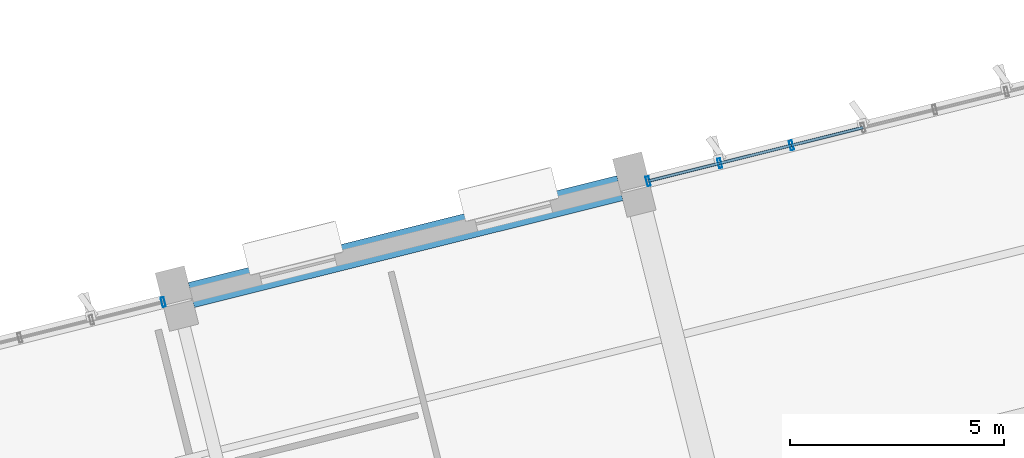
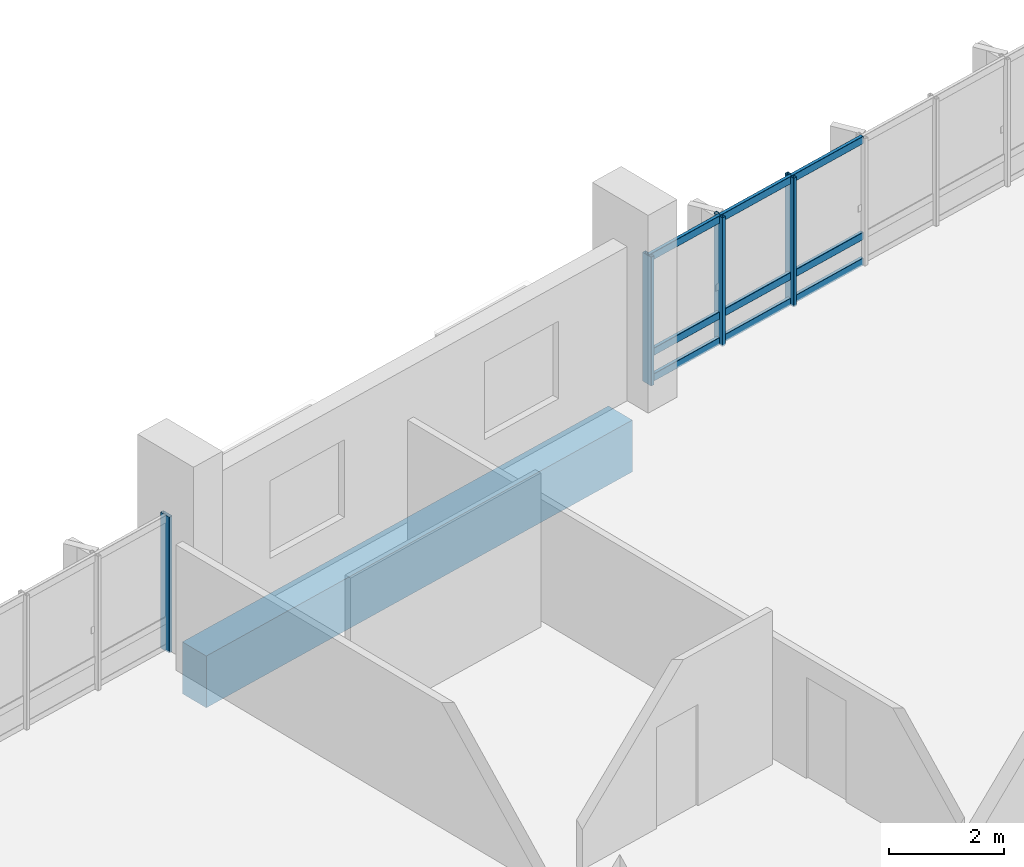
# One storey, part 48 of 75: 13 members, 1 beam, 2 elements without a shape of their own.
"""IFC4 building model written with IfcOpenShell, lengths in metres."""

from ifc_helpers import new_model, si_unit, direction, frame, origin, origin_2d, place, context, subcontext, project, spatial, rectangle, hollow_rectangle, extrude, material, layer, layer_set, material_profile, profile_set, type_object, element, aggregate, save


model = new_model("IFC4")

# Units and contexts
model_context = context("Model", 3, precision=1e-05, world=origin(), true_north=direction((0.0, 1.0)))
body_context = subcontext(model_context, "Body", "Model", "MODEL_VIEW")
ifc_project = project(units=[si_unit("LENGTHUNIT", "METRE"), si_unit("AREAUNIT", "SQUARE_METRE"), si_unit("VOLUMEUNIT", "CUBIC_METRE"), si_unit("PLANEANGLEUNIT", "RADIAN"), si_unit("MASSUNIT", "GRAM", prefix="KILO")], contexts=[model_context])

# Site, building, storey
site_placement = place(None, origin())
site = spatial("IfcSite", under=ifc_project, at=site_placement, CompositionType="ELEMENT")
building_placement = place(site_placement, origin())
building = spatial("IfcBuilding", under=site, at=building_placement, Name="Khorjan Park Terminus", CompositionType="ELEMENT")
storey_placement = place(building_placement, frame((0.0, 0.0, 16.2)))
storey = spatial("IfcBuildingStorey", under=building, at=storey_placement, Name="L03", CompositionType="ELEMENT", Elevation=16.2)

# Beam
ifc_material_1 = material(Name="Concrete C40/50", Category="concrete")
ifc_material_profile_1 = material_profile(ifc_material_1, rectangle(XDim=0.6, YDim=1.1, at=origin_2d()), Name="RC 600x1100")
ifc_profile_set_1 = profile_set([ifc_material_profile_1], Name="Concrete C40/50")
beam_type = type_object("IfcBeamType", Name="BM-RC600x1100", PredefinedType="BEAM", material=ifc_profile_set_1)
beam_placement = place(storey_placement, frame((193.0609, 76.7675, -0.9), z_axis=(0.970294075028, 0.241928518297, 0.0), x_axis=(-0.241928518297, 0.970294075028, 0.0)))
element("IfcBeam", 1, at=beam_placement, inside=storey, type_object=beam_type, Name="Primary skew-grid floor girder GB-11 (L03)", PredefinedType="BEAM", context=body_context, shape_type="SweptSolid", body=[
    extrude(rectangle(XDim=0.6, YDim=1.1, at=origin_2d()), origin(), (0.0, 0.0, 1.0), 10.3101),
])

# Curtain wall, members
ifc_material_2 = material(Name="Anodized Bronze Aluminium", Category="aluminium")
ifc_layer = layer(ifc_material_2, 0.22)
ifc_layer_set = layer_set([ifc_layer], Name="Anodized Bronze Aluminium")
curtain_wall_type = type_object("IfcCurtainWallType", Name="CW-OPS-B", PredefinedType="NOTDEFINED", material=ifc_layer_set)
curtain_wall_1_placement = place(storey_placement, origin())
curtain_wall_1 = element("IfcCurtainWall", 2, at=curtain_wall_1_placement, inside=storey, type_object=curtain_wall_type, Name="Unitized curtain wall CW-B (CW-V5-N-L03-B01)", PredefinedType="NOTDEFINED")
ifc_material_profile_2 = material_profile(ifc_material_2, hollow_rectangle(XDim=0.075, YDim=0.225, WallThickness=0.005, InnerFilletRadius=0.005, OuterFilletRadius=0.01, at=origin_2d()), Name="ALM 75x225x5")
ifc_profile_set_2 = profile_set([ifc_material_profile_2], Name="Anodized Bronze Aluminium")
member_type_1 = type_object("IfcMemberType", Name="ML-ALM-225", PredefinedType="MULLION", material=ifc_profile_set_2)
member_1_placement = place(storey_placement, frame((207.0637, 80.2588, -0.035), z_axis=(0.0, 0.0, 1.0), x_axis=(-0.970294194364, -0.241928039679, 0.0)))
member_1 = element("IfcMember", 3, at=member_1_placement, type_object=member_type_1, Name="Curtain-wall mullion ML-22 (CW-V5-N-L03-B01-4)", PredefinedType="MULLION", context=body_context, shape_type="SweptSolid", body=[
    extrude(hollow_rectangle(XDim=0.075, YDim=0.225, WallThickness=0.005, InnerFilletRadius=0.005, OuterFilletRadius=0.01, at=origin_2d()), origin(), (0.0, 0.0, 1.0), 2.735),
])
member_2_placement = place(storey_placement, frame((205.3914, 79.8418, -0.035), z_axis=(0.0, 0.0, 1.0), x_axis=(-0.970294194364, -0.241928039679, 0.0)))
member_2 = element("IfcMember", 4, at=member_2_placement, type_object=member_type_1, Name="Curtain-wall mullion ML-22 (CW-V5-N-L03-B01-5)", PredefinedType="MULLION", context=body_context, shape_type="SweptSolid", body=[
    extrude(hollow_rectangle(XDim=0.075, YDim=0.225, WallThickness=0.005, InnerFilletRadius=0.005, OuterFilletRadius=0.01, at=origin_2d()), origin(), (0.0, 0.0, 1.0), 2.735),
])
member_3_placement = place(storey_placement, frame((203.7192, 79.4249, -0.035), z_axis=(0.0, 0.0, 1.0), x_axis=(-0.970294194364, -0.241928039679, 0.0)))
member_3 = element("IfcMember", 5, at=member_3_placement, type_object=member_type_1, Name="Curtain-wall mullion ML-22 (CW-V5-N-L03-B01-6)", PredefinedType="MULLION", context=body_context, shape_type="SweptSolid", body=[
    extrude(hollow_rectangle(XDim=0.075, YDim=0.225, WallThickness=0.005, InnerFilletRadius=0.005, OuterFilletRadius=0.01, at=origin_2d()), origin(), (0.0, 0.0, 1.0), 2.735),
])

# Curtain wall, member
curtain_wall_2_placement = place(storey_placement, origin())
curtain_wall_2 = element("IfcCurtainWall", 6, at=curtain_wall_2_placement, inside=storey, type_object=curtain_wall_type, Name="Unitized curtain wall CW-B (CW-V5-N-L03-B03)", PredefinedType="NOTDEFINED")
member_4_placement = place(storey_placement, frame((192.4058, 76.6042, -0.035), z_axis=(0.0, 0.0, 1.0), x_axis=(-0.970295910648, -0.241921156122, 0.0)))
member_4 = element("IfcMember", 7, at=member_4_placement, type_object=member_type_1, Name="Curtain-wall mullion ML-22 (CW-V5-N-L03-B03-0)", PredefinedType="MULLION", context=body_context, shape_type="SweptSolid", body=[
    extrude(hollow_rectangle(XDim=0.075, YDim=0.225, WallThickness=0.005, InnerFilletRadius=0.005, OuterFilletRadius=0.01, at=origin_2d()), origin(), (0.0, 0.0, 1.0), 2.885),
])
aggregate(curtain_wall_2, [member_4])

# Member
ifc_material_profile_3 = material_profile(ifc_material_2, hollow_rectangle(XDim=0.07, YDim=0.16, WallThickness=0.004, InnerFilletRadius=0.004, OuterFilletRadius=0.008, at=origin_2d()), Name="ALT 70x160x4")
ifc_profile_set_3 = profile_set([ifc_material_profile_3], Name="Anodized Bronze Aluminium")
member_type_2 = type_object("IfcMemberType", Name="TR-ALT-160", PredefinedType="USERDEFINED", material=ifc_profile_set_3)
member_5_placement = place(storey_placement, frame((208.736, 80.6757, 0.04), z_axis=(-0.970302701845, -0.241893916402, 0.0), x_axis=(0.241893916402, -0.970302701845, 0.0)))
member_5 = element("IfcMember", 8, at=member_5_placement, type_object=member_type_2, Name="Curtain-wall transom TR-16 (CW-V5-N-L03-B01-3-1)", ObjectType="TRANSOM", PredefinedType="USERDEFINED", context=body_context, shape_type="SweptSolid", body=[
    extrude(hollow_rectangle(XDim=0.07, YDim=0.16, WallThickness=0.004, InnerFilletRadius=0.004, OuterFilletRadius=0.008, at=origin_2d()), origin(), (0.0, 0.0, 1.0), 1.7235),
])

member_6_placement = place(storey_placement, frame((208.736, 80.6757, 0.586), z_axis=(-0.970302701845, -0.241893916402, 0.0), x_axis=(0.241893916402, -0.970302701845, 0.0)))
member_6 = element("IfcMember", 9, at=member_6_placement, type_object=member_type_2, Name="Curtain-wall transom TR-16 (CW-V5-N-L03-B01-3-2)", ObjectType="TRANSOM", PredefinedType="USERDEFINED", context=body_context, shape_type="SweptSolid", body=[
    extrude(hollow_rectangle(XDim=0.07, YDim=0.16, WallThickness=0.004, InnerFilletRadius=0.004, OuterFilletRadius=0.008, at=origin_2d()), origin(), (0.0, 0.0, 1.0), 1.7235),
])

member_7_placement = place(storey_placement, frame((208.736, 80.6757, 2.625), z_axis=(-0.970302701845, -0.241893916402, 0.0), x_axis=(0.241893916402, -0.970302701845, 0.0)))
member_7 = element("IfcMember", 10, at=member_7_placement, type_object=member_type_2, Name="Curtain-wall transom TR-16 (CW-V5-N-L03-B01-3-3)", ObjectType="TRANSOM", PredefinedType="USERDEFINED", context=body_context, shape_type="SweptSolid", body=[
    extrude(hollow_rectangle(XDim=0.07, YDim=0.16, WallThickness=0.004, InnerFilletRadius=0.004, OuterFilletRadius=0.008, at=origin_2d()), origin(), (0.0, 0.0, 1.0), 1.7235),
])

member_8_placement = place(storey_placement, frame((207.0637, 80.2588, 0.04), z_axis=(-0.970289082125, -0.241948542275, 0.0), x_axis=(0.241948542275, -0.970289082125, 0.0)))
member_8 = element("IfcMember", 11, at=member_8_placement, type_object=member_type_2, Name="Curtain-wall transom TR-16 (CW-V5-N-L03-B01-4-1)", ObjectType="TRANSOM", PredefinedType="USERDEFINED", context=body_context, shape_type="SweptSolid", body=[
    extrude(hollow_rectangle(XDim=0.07, YDim=0.16, WallThickness=0.004, InnerFilletRadius=0.004, OuterFilletRadius=0.008, at=origin_2d()), origin(), (0.0, 0.0, 1.0), 1.7235),
])

member_9_placement = place(storey_placement, frame((207.0637, 80.2588, 0.586), z_axis=(-0.970289082125, -0.241948542275, 0.0), x_axis=(0.241948542275, -0.970289082125, 0.0)))
member_9 = element("IfcMember", 12, at=member_9_placement, type_object=member_type_2, Name="Curtain-wall transom TR-16 (CW-V5-N-L03-B01-4-2)", ObjectType="TRANSOM", PredefinedType="USERDEFINED", context=body_context, shape_type="SweptSolid", body=[
    extrude(hollow_rectangle(XDim=0.07, YDim=0.16, WallThickness=0.004, InnerFilletRadius=0.004, OuterFilletRadius=0.008, at=origin_2d()), origin(), (0.0, 0.0, 1.0), 1.7235),
])

member_10_placement = place(storey_placement, frame((207.0637, 80.2588, 2.625), z_axis=(-0.970289082125, -0.241948542275, 0.0), x_axis=(0.241948542275, -0.970289082125, 0.0)))
member_10 = element("IfcMember", 13, at=member_10_placement, type_object=member_type_2, Name="Curtain-wall transom TR-16 (CW-V5-N-L03-B01-4-3)", ObjectType="TRANSOM", PredefinedType="USERDEFINED", context=body_context, shape_type="SweptSolid", body=[
    extrude(hollow_rectangle(XDim=0.07, YDim=0.16, WallThickness=0.004, InnerFilletRadius=0.004, OuterFilletRadius=0.008, at=origin_2d()), origin(), (0.0, 0.0, 1.0), 1.7235),
])

member_11_placement = place(storey_placement, frame((205.3914, 79.8418, 0.04), z_axis=(-0.970299306534, -0.241907535518, 0.0), x_axis=(0.241907535518, -0.970299306534, 0.0)))
member_11 = element("IfcMember", 14, at=member_11_placement, type_object=member_type_2, Name="Curtain-wall transom TR-16 (CW-V5-N-L03-B01-5-1)", ObjectType="TRANSOM", PredefinedType="USERDEFINED", context=body_context, shape_type="SweptSolid", body=[
    extrude(hollow_rectangle(XDim=0.07, YDim=0.16, WallThickness=0.004, InnerFilletRadius=0.004, OuterFilletRadius=0.008, at=origin_2d()), origin(), (0.0, 0.0, 1.0), 1.7234),
])

member_12_placement = place(storey_placement, frame((205.3914, 79.8418, 0.586), z_axis=(-0.970299306534, -0.241907535518, 0.0), x_axis=(0.241907535518, -0.970299306534, 0.0)))
member_12 = element("IfcMember", 15, at=member_12_placement, type_object=member_type_2, Name="Curtain-wall transom TR-16 (CW-V5-N-L03-B01-5-2)", ObjectType="TRANSOM", PredefinedType="USERDEFINED", context=body_context, shape_type="SweptSolid", body=[
    extrude(hollow_rectangle(XDim=0.07, YDim=0.16, WallThickness=0.004, InnerFilletRadius=0.004, OuterFilletRadius=0.008, at=origin_2d()), origin(), (0.0, 0.0, 1.0), 1.7234),
])

member_13_placement = place(storey_placement, frame((205.3914, 79.8418, 2.625), z_axis=(-0.970299306534, -0.241907535518, 0.0), x_axis=(0.241907535518, -0.970299306534, 0.0)))
member_13 = element("IfcMember", 16, at=member_13_placement, type_object=member_type_2, Name="Curtain-wall transom TR-16 (CW-V5-N-L03-B01-5-3)", ObjectType="TRANSOM", PredefinedType="USERDEFINED", context=body_context, shape_type="SweptSolid", body=[
    extrude(hollow_rectangle(XDim=0.07, YDim=0.16, WallThickness=0.004, InnerFilletRadius=0.004, OuterFilletRadius=0.008, at=origin_2d()), origin(), (0.0, 0.0, 1.0), 1.7234),
])

aggregate(curtain_wall_1, [member_1, member_2, member_3, member_5, member_6, member_7, member_8, member_9, member_10, member_11, member_12, member_13])

save(model, "model.ifc")
